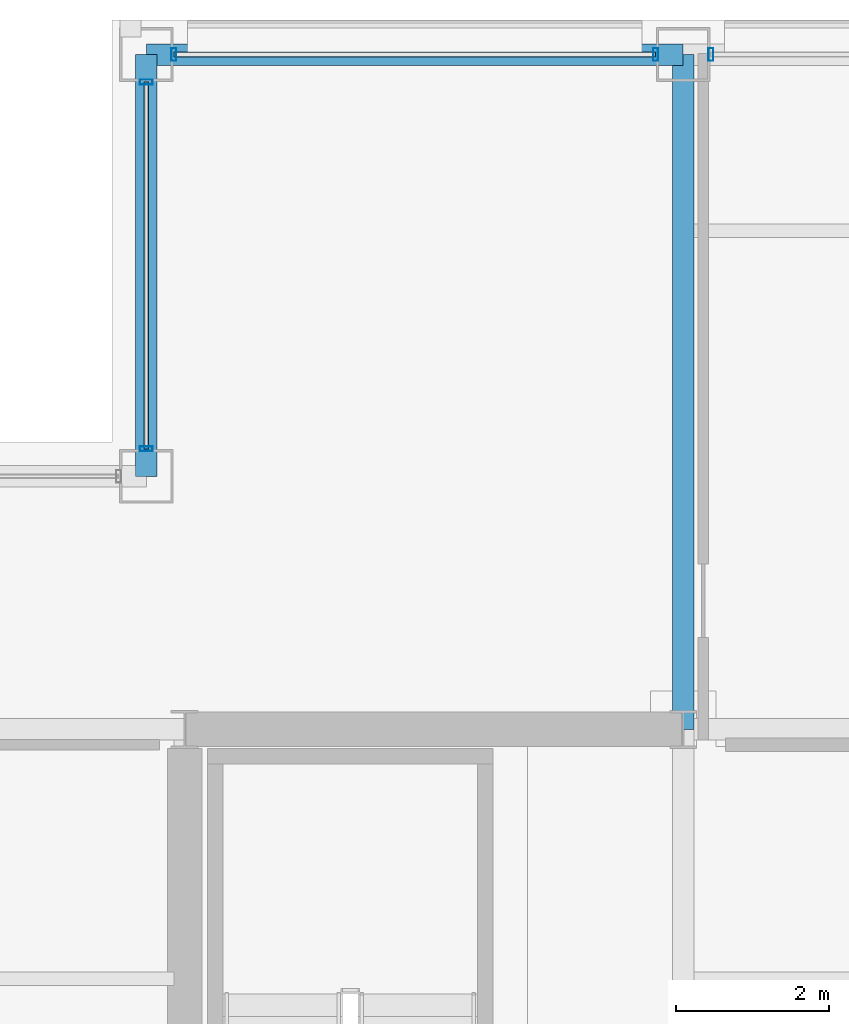
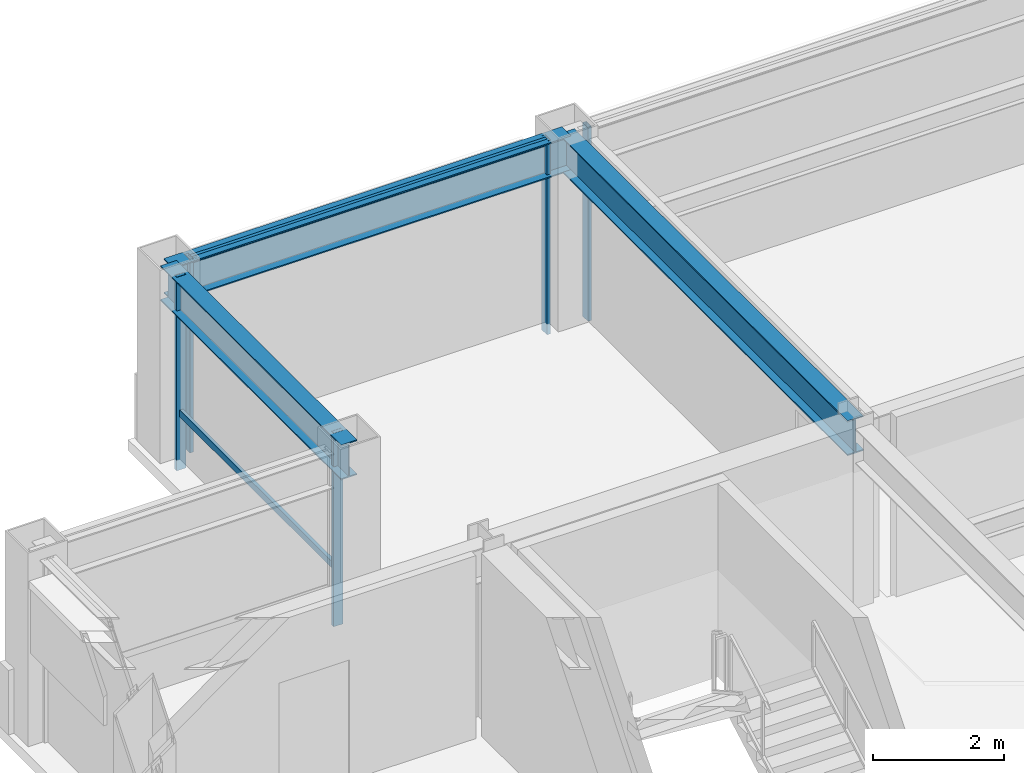
# One storey, part 19 of 28: 7 members, 3 beams, 3 elements without a shape of their own.
"""IFC4 building model written with IfcOpenShell, lengths in metres."""

from ifc_helpers import new_model, si_unit, direction, frame, origin, origin_2d, place, context, subcontext, project, spatial, hollow_rectangle, i_section, extrude, material, layer, layer_set, material_profile, profile_set, type_object, element, aggregate, save


model = new_model("IFC4")

# Units and contexts
model_context = context("Model", 3, precision=1e-05, world=origin(), true_north=direction((0.0, 1.0)))
body_context = subcontext(model_context, "Body", "Model", "MODEL_VIEW")
ifc_project = project(units=[si_unit("LENGTHUNIT", "METRE"), si_unit("AREAUNIT", "SQUARE_METRE"), si_unit("VOLUMEUNIT", "CUBIC_METRE"), si_unit("PLANEANGLEUNIT", "RADIAN"), si_unit("MASSUNIT", "GRAM", prefix="KILO")], contexts=[model_context])

# Site, building, storey
site_placement = place(None, origin())
site = spatial("IfcSite", under=ifc_project, at=site_placement, CompositionType="ELEMENT")
building_placement = place(site_placement, origin())
building = spatial("IfcBuilding", under=site, at=building_placement, Name="Brelmoor Portico Tower", CompositionType="ELEMENT")
storey_placement = place(building_placement, frame((0.0, 0.0, 191.10009765625)))
storey = spatial("IfcBuildingStorey", under=building, at=storey_placement, Name="L50", CompositionType="ELEMENT", Elevation=191.10009765625)

# Beams
ifc_material_1 = material(Name="Steel Q355B", Category="steel")
ifc_material_profile_1 = material_profile(ifc_material_1, i_section(OverallWidth=0.280029296875, OverallDepth=0.64990234375, WebThickness=0.012939453125, FlangeThickness=0.02197265625, at=origin_2d()), Name="HN 650x280x13x22")
ifc_profile_set_1 = profile_set([ifc_material_profile_1], Name="Steel Q355B")
beam_type_1 = type_object("IfcBeamType", Name="BM-PG-650", PredefinedType="BEAM", material=ifc_profile_set_1)
beam_1_placement = place(storey_placement, frame((-8.050048828125, 9.75, 3.074951171875), z_axis=(0.0, 1.0, 0.0), x_axis=(-1.0, 0.0, 0.0)))
element("IfcBeam", 1, at=beam_1_placement, inside=storey, type_object=beam_type_1, Name="L50 Primary Floor Girder PG-05", PredefinedType="BEAM", context=body_context, shape_type="SweptSolid", body=[
    extrude(i_section(OverallWidth=0.280029296875, OverallDepth=0.64990234375, WebThickness=0.012939453125, FlangeThickness=0.02197265625, at=origin_2d()), origin(), (0.0, 0.0, 1.0), 8.800048828125),
])
ifc_material_profile_2 = material_profile(ifc_material_1, i_section(OverallWidth=0.280029296875, OverallDepth=0.64990234375, WebThickness=0.012939453125, FlangeThickness=0.02197265625, at=origin_2d()), Name="HN 650x280x13x22")
ifc_profile_set_2 = profile_set([ifc_material_profile_2], Name="Steel Q355B")
beam_type_2 = type_object("IfcBeamType", Name="BM-SP-650", PredefinedType="SPANDREL", material=ifc_profile_set_2)
beam_2_placement = place(storey_placement, frame((-15.050048828125, 18.550048828125, 3.074951171875), z_axis=(1.0, 0.0, 0.0), x_axis=(0.0, 1.0, 0.0)))
element("IfcBeam", 2, at=beam_2_placement, inside=storey, type_object=beam_type_2, Name="L50 Perimeter Spandrel Beam SP-08", PredefinedType="SPANDREL", context=body_context, shape_type="SweptSolid", body=[
    extrude(i_section(OverallWidth=0.280029296875, OverallDepth=0.64990234375, WebThickness=0.012939453125, FlangeThickness=0.02197265625, at=origin_2d()), origin(), (0.0, 0.0, 1.0), 7.0),
])
beam_3_placement = place(storey_placement, frame((-15.050048828125, 13.050048828125, 3.074951171875), z_axis=(0.0, 1.0, 0.0), x_axis=(-1.0, 0.0, 0.0)))
element("IfcBeam", 3, at=beam_3_placement, inside=storey, type_object=beam_type_2, Name="L50 Perimeter Spandrel Beam SP-15", PredefinedType="SPANDREL", context=body_context, shape_type="SweptSolid", body=[
    extrude(i_section(OverallWidth=0.280029296875, OverallDepth=0.64990234375, WebThickness=0.012939453125, FlangeThickness=0.02197265625, at=origin_2d()), origin(), (0.0, 0.0, 1.0), 5.5),
])

# Curtain wall, members
ifc_material_2 = material(Name="Anodised Aluminium Alloy 6063-T6", Category="aluminium")
ifc_layer_1 = layer(ifc_material_2, 0.179931640625)
ifc_layer_set_1 = layer_set([ifc_layer_1], Name="Anodised Aluminium Alloy 6063-T6")
curtain_wall_type_1 = type_object("IfcCurtainWallType", Name="CW-TOWER-Z3-XB", PredefinedType="NOTDEFINED", material=ifc_layer_set_1)
curtain_wall_1_placement = place(storey_placement, origin())
curtain_wall_1 = element("IfcCurtainWall", 4, at=curtain_wall_1_placement, inside=storey, type_object=curtain_wall_type_1, Name="L50 Curtain Wall CW-L50-02-1", PredefinedType="NOTDEFINED")
ifc_material_profile_3 = material_profile(ifc_material_2, hollow_rectangle(XDim=0.06494140625, YDim=0.1650390625, WallThickness=0.00390625, at=origin_2d()), Name="ALU MULLION 65x165")
ifc_profile_set_3 = profile_set([ifc_material_profile_3], Name="Anodised Aluminium Alloy 6063-T6")
member_type_1 = type_object("IfcMemberType", Name="MB-CW-MULL-165", PredefinedType="MULLION", material=ifc_profile_set_3)
member_1_placement = place(storey_placement, frame((-14.68994140625, 18.550048828125, -0.2001953125), z_axis=(0.0, 0.0, 1.0), x_axis=(1.0, 0.0, 0.0)))
member_1 = element("IfcMember", 5, at=member_1_placement, type_object=member_type_1, Name="CW-L50-02-1 Mullion 00", PredefinedType="MULLION", context=body_context, shape_type="SweptSolid", body=[
    extrude(hollow_rectangle(XDim=0.06494140625, YDim=0.1650390625, WallThickness=0.00390625, at=origin_2d()), origin(), (0.0, 0.0, 1.0), 3.60009765625),
])
member_2_placement = place(storey_placement, frame((-8.409912109375, 18.550048828125, -0.2001953125), z_axis=(0.0, 0.0, 1.0), x_axis=(1.0, 0.0, 0.0)))
member_2 = element("IfcMember", 6, at=member_2_placement, type_object=member_type_1, Name="CW-L50-02-1 Mullion 01", PredefinedType="MULLION", context=body_context, shape_type="SweptSolid", body=[
    extrude(hollow_rectangle(XDim=0.06494140625, YDim=0.1650390625, WallThickness=0.00390625, at=origin_2d()), origin(), (0.0, 0.0, 1.0), 3.60009765625),
])

# Curtain wall, member
curtain_wall_2_placement = place(storey_placement, origin())
curtain_wall_2 = element("IfcCurtainWall", 7, at=curtain_wall_2_placement, inside=storey, type_object=curtain_wall_type_1, Name="L50 Curtain Wall CW-L50-02-2", PredefinedType="NOTDEFINED")
member_3_placement = place(storey_placement, frame((-7.68994140625, 18.550048828125, -0.2001953125), z_axis=(0.0, 0.0, 1.0), x_axis=(1.0, 0.0, 0.0)))
member_3 = element("IfcMember", 8, at=member_3_placement, type_object=member_type_1, Name="CW-L50-02-2 Mullion 00", PredefinedType="MULLION", context=body_context, shape_type="SweptSolid", body=[
    extrude(hollow_rectangle(XDim=0.06494140625, YDim=0.1650390625, WallThickness=0.00390625, at=origin_2d()), origin(), (0.0, 0.0, 1.0), 3.60009765625),
])
aggregate(curtain_wall_2, [member_3])

# Curtain wall, members
ifc_layer_2 = layer(ifc_material_2, 0.179931640625)
ifc_layer_set_2 = layer_set([ifc_layer_2], Name="Anodised Aluminium Alloy 6063-T6")
curtain_wall_type_2 = type_object("IfcCurtainWallType", Name="CW-NOTCH-CHAMFER", PredefinedType="NOTDEFINED", material=ifc_layer_set_2)
curtain_wall_3_placement = place(storey_placement, origin())
curtain_wall_3 = element("IfcCurtainWall", 9, at=curtain_wall_3_placement, inside=storey, type_object=curtain_wall_type_2, Name="L50 Curtain Wall CWN-L50-NWV", PredefinedType="NOTDEFINED")
member_4_placement = place(storey_placement, frame((-15.050048828125, 13.409912109375, -0.2001953125), z_axis=(0.0, 0.0, 1.0), x_axis=(0.0, 1.0, 0.0)))
member_4 = element("IfcMember", 10, at=member_4_placement, type_object=member_type_1, Name="CWN-L50-NWV Mullion 00", PredefinedType="MULLION", context=body_context, shape_type="SweptSolid", body=[
    extrude(hollow_rectangle(XDim=0.06494140625, YDim=0.1650390625, WallThickness=0.00390625, at=origin_2d()), origin(), (0.0, 0.0, 1.0), 3.60009765625),
])
member_5_placement = place(storey_placement, frame((-15.050048828125, 18.18994140625, -0.2001953125), z_axis=(0.0, 0.0, 1.0), x_axis=(0.0, 1.0, 0.0)))
member_5 = element("IfcMember", 11, at=member_5_placement, type_object=member_type_1, Name="CWN-L50-NWV Mullion 01", PredefinedType="MULLION", context=body_context, shape_type="SweptSolid", body=[
    extrude(hollow_rectangle(XDim=0.06494140625, YDim=0.1650390625, WallThickness=0.00390625, at=origin_2d()), origin(), (0.0, 0.0, 1.0), 3.60009765625),
])

# Member
ifc_material_profile_4 = material_profile(ifc_material_2, hollow_rectangle(XDim=0.06005859375, YDim=0.125, WallThickness=0.00341796875, at=origin_2d()), Name="ALU TRANSOM 60x125")
ifc_profile_set_4 = profile_set([ifc_material_profile_4], Name="Anodised Aluminium Alloy 6063-T6")
member_type_2 = type_object("IfcMemberType", Name="MB-CW-TRAN-125", PredefinedType="USERDEFINED", material=ifc_profile_set_4)
member_6_placement = place(storey_placement, frame((-14.68994140625, 18.550048828125, 3.33740234375), z_axis=(1.0, 0.0, 0.0), x_axis=(0.0, 1.0, 0.0)))
member_6 = element("IfcMember", 12, at=member_6_placement, type_object=member_type_2, Name="CW-L50-02-1 Transom 1-00", ObjectType="TRANSOM", PredefinedType="USERDEFINED", context=body_context, shape_type="SweptSolid", body=[
    extrude(hollow_rectangle(XDim=0.06005859375, YDim=0.125, WallThickness=0.00341796875, at=origin_2d()), origin(), (0.0, 0.0, 1.0), 6.280029296875),
])

aggregate(curtain_wall_1, [member_1, member_2, member_6])

member_7_placement = place(storey_placement, frame((-15.050048828125, 13.409912109375, 0.849853515625), z_axis=(0.0, 1.0, 0.0), x_axis=(-1.0, 0.0, 0.0)))
member_7 = element("IfcMember", 13, at=member_7_placement, type_object=member_type_2, Name="CWN-L50-NWV Transom 1-00", ObjectType="TRANSOM", PredefinedType="USERDEFINED", context=body_context, shape_type="SweptSolid", body=[
    extrude(hollow_rectangle(XDim=0.06005859375, YDim=0.125, WallThickness=0.00341796875, at=origin_2d()), origin(), (0.0, 0.0, 1.0), 4.780029296875),
])

aggregate(curtain_wall_3, [member_4, member_5, member_7])

save(model, "model.ifc")
